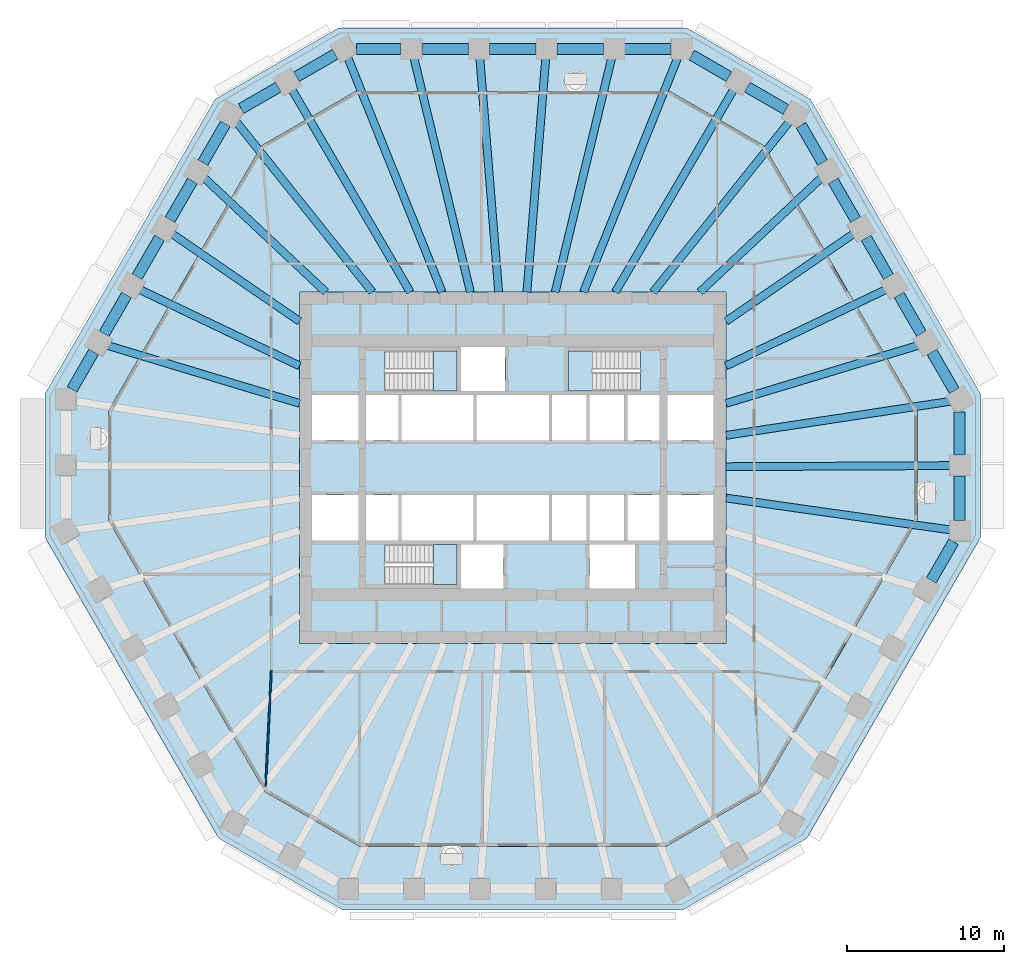
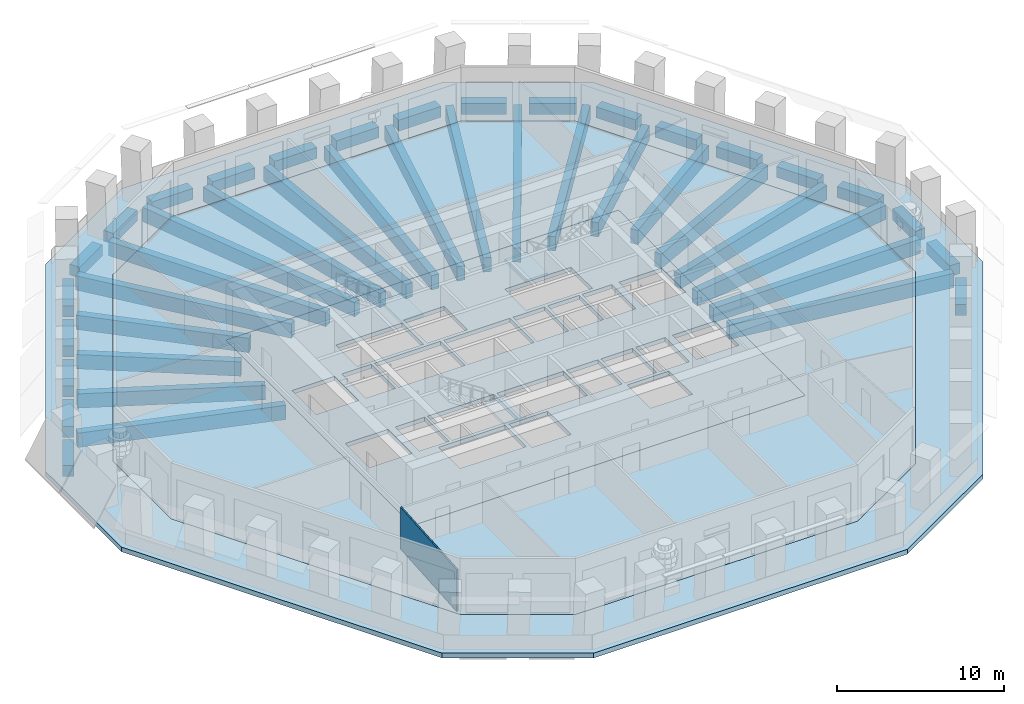
# One storey, part 2 of 12: 43 beams, 6 slabs, 1 wall, 3 elements without a shape of their own.
"""IFC4 building model written with IfcOpenShell, lengths in metres."""

from ifc_helpers import new_model, si_unit, direction, frame, frame_2d, origin, origin_2d, place, context, subcontext, project, spatial, polyline, rectangle, outline, extrude, material, layer, layer_set, material_profile, profile_set, type_object, element, aggregate, save


model = new_model("IFC4")

# Units and contexts
model_context = context("Model", 3, precision=1e-05, world=origin(), true_north=direction((0.0, 1.0)))
body_context = subcontext(model_context, "Body", "Model", "MODEL_VIEW")
ifc_project = project(units=[si_unit("LENGTHUNIT", "METRE"), si_unit("AREAUNIT", "SQUARE_METRE"), si_unit("VOLUMEUNIT", "CUBIC_METRE"), si_unit("PLANEANGLEUNIT", "RADIAN"), si_unit("MASSUNIT", "GRAM", prefix="KILO")], contexts=[model_context])

# Site, building, storey
site_placement = place(None, origin())
site = spatial("IfcSite", under=ifc_project, at=site_placement, CompositionType="ELEMENT")
building_placement = place(site_placement, origin())
building = spatial("IfcBuilding", under=site, at=building_placement, Name="Frailejon Research Tower", CompositionType="ELEMENT")
storey_placement = place(building_placement, frame((0.0, 0.0, 85.199951171875)))
storey = spatial("IfcBuildingStorey", under=building, at=storey_placement, Name="L18", CompositionType="ELEMENT", Elevation=85.199951171875)

# Beams
ifc_material_1 = material(Name="Concrete C60/75", Category="concrete")
ifc_material_profile_1 = material_profile(ifc_material_1, rectangle(XDim=0.5, YDim=1.050048828125, at=origin_2d()), Name="Girder 500x1050")
ifc_profile_set_1 = profile_set([ifc_material_profile_1], Name="Concrete C60/75")
beam_type_1 = type_object("IfcBeamType", Name="Girder 500x1050", PredefinedType="BEAM", material=ifc_profile_set_1)
beam_1_placement = place(storey_placement, frame((27.966064453125, -3.974609375, -0.824951171875), z_axis=(-0.990050862851, 0.14070994623, 0.0), x_axis=(-0.14070994623, -0.990050862851, 0.0)))
element("IfcBeam", 1, at=beam_1_placement, inside=storey, type_object=beam_type_1, Name="Girder 500x1050", PredefinedType="BEAM", context=body_context, shape_type="SweptSolid", body=[
    extrude(rectangle(XDim=0.5, YDim=1.050048828125, at=origin_2d()), origin(), (0.0, 0.0, 1.0), 14.51025390625),
])
beam_2_placement = place(storey_placement, frame((27.967529296875, 0.1357421875, -0.824951171875), z_axis=(-0.999988190916, -0.004859838274, 0.0), x_axis=(0.004859838274, -0.999988190916, 0.0)))
element("IfcBeam", 2, at=beam_2_placement, inside=storey, type_object=beam_type_1, Name="Girder 500x1050", PredefinedType="BEAM", context=body_context, shape_type="SweptSolid", body=[
    extrude(rectangle(XDim=0.5, YDim=1.050048828125, at=origin_2d()), origin(), (0.0, 0.0, 1.0), 14.36767578125),
])
beam_3_placement = place(storey_placement, frame((27.92431640625, 4.239501953125, -0.824951171875), z_axis=(-0.98866977657, -0.150106871586, 0.0), x_axis=(0.150106871586, -0.98866977657, 0.0)))
element("IfcBeam", 3, at=beam_3_placement, inside=storey, type_object=beam_type_1, Name="Girder 500x1050", PredefinedType="BEAM", context=body_context, shape_type="SweptSolid", body=[
    extrude(rectangle(XDim=0.5, YDim=1.050048828125, at=origin_2d()), origin(), (0.0, 0.0, 1.0), 14.48828125),
])
beam_4_placement = place(storey_placement, frame((25.872314453125, 7.80615234375, -0.824951171875), z_axis=(-0.957374824743, -0.288848480953, 0.0), x_axis=(0.288848480953, -0.957374824743, 0.0)))
element("IfcBeam", 4, at=beam_4_placement, inside=storey, type_object=beam_type_1, Name="Girder 500x1050", PredefinedType="BEAM", context=body_context, shape_type="SweptSolid", body=[
    extrude(rectangle(XDim=0.5, YDim=1.050048828125, at=origin_2d()), origin(), (0.0, 0.0, 1.0), 12.818603515625),
])
beam_5_placement = place(storey_placement, frame((23.81689453125, 11.373291015625, -0.824951171875), z_axis=(-0.902388049817, -0.430924364069, 0.0), x_axis=(0.430924364069, -0.902388049817, 0.0)))
element("IfcBeam", 5, at=beam_5_placement, inside=storey, type_object=beam_type_1, Name="Girder 500x1050", PredefinedType="BEAM", context=body_context, shape_type="SweptSolid", body=[
    extrude(rectangle(XDim=0.5, YDim=1.050048828125, at=origin_2d()), origin(), (0.0, 0.0, 1.0), 11.322021484375),
])
beam_6_placement = place(storey_placement, frame((21.758056640625, 14.939453125, -0.824951171875), z_axis=(-0.824373627533, -0.566046042499, 0.0), x_axis=(0.566046042499, -0.824373627533, 0.0)))
element("IfcBeam", 6, at=beam_6_placement, inside=storey, type_object=beam_type_1, Name="Girder 500x1050", PredefinedType="BEAM", context=body_context, shape_type="SweptSolid", body=[
    extrude(rectangle(XDim=0.5, YDim=1.050048828125, at=origin_2d()), origin(), (0.0, 0.0, 1.0), 9.89599609375),
])
beam_7_placement = place(storey_placement, frame((19.696533203125, 18.503173828125, -0.824951171875), z_axis=(-0.728838034578, -0.684686146605, 0.0), x_axis=(0.684686146605, -0.728838034578, 0.0)))
element("IfcBeam", 7, at=beam_7_placement, inside=storey, type_object=beam_type_1, Name="Girder 500x1050", PredefinedType="BEAM", context=body_context, shape_type="SweptSolid", body=[
    extrude(rectangle(XDim=0.5, YDim=1.050048828125, at=origin_2d()), origin(), (0.0, 0.0, 1.0), 10.66650390625),
])
beam_8_placement = place(storey_placement, frame((17.659912109375, 22.09619140625, -0.824951171875), z_axis=(-0.62432357679, -0.781165841204, 0.0), x_axis=(0.781165841204, -0.62432357679, 0.0)))
element("IfcBeam", 8, at=beam_8_placement, inside=storey, type_object=beam_type_1, Name="Girder 500x1050", PredefinedType="BEAM", context=body_context, shape_type="SweptSolid", body=[
    extrude(rectangle(XDim=0.5, YDim=1.050048828125, at=origin_2d()), origin(), (0.0, 0.0, 1.0), 13.94873046875),
])
beam_9_placement = place(storey_placement, frame((14.101318359375, 24.15283203125, -0.824951171875), z_axis=(-0.504189790406, -0.863592875868, 0.0), x_axis=(0.863592875868, -0.504189790406, 0.0)))
element("IfcBeam", 9, at=beam_9_placement, inside=storey, type_object=beam_type_1, Name="Girder 500x1050", PredefinedType="BEAM", context=body_context, shape_type="SweptSolid", body=[
    extrude(rectangle(XDim=0.5, YDim=1.050048828125, at=origin_2d()), origin(), (0.0, 0.0, 1.0), 14.998779296875),
])
beam_10_placement = place(storey_placement, frame((10.52392578125, 26.164306640625, -0.824951171875), z_axis=(-0.373169811581, -0.927763057965, 0.0), x_axis=(0.927763057965, -0.373169811581, 0.0)))
element("IfcBeam", 10, at=beam_10_placement, inside=storey, type_object=beam_type_1, Name="Girder 500x1050", PredefinedType="BEAM", context=body_context, shape_type="SweptSolid", body=[
    extrude(rectangle(XDim=0.5, YDim=1.050048828125, at=origin_2d()), origin(), (0.0, 0.0, 1.0), 16.12939453125),
])
beam_11_placement = place(storey_placement, frame((6.31591796875, 26.1708984375, -0.824951171875), z_axis=(-0.234601275689, -0.972091683662, 0.0), x_axis=(0.972091683662, -0.234601275689, 0.0)))
element("IfcBeam", 11, at=beam_11_placement, inside=storey, type_object=beam_type_1, Name="Girder 500x1050", PredefinedType="BEAM", context=body_context, shape_type="SweptSolid", body=[
    extrude(rectangle(XDim=0.5, YDim=1.050048828125, at=origin_2d()), origin(), (0.0, 0.0, 1.0), 15.400634765625),
])
for number, where, z_axis, x_axis, name in (
    (12, (2.105712890625, 26.174560546875, -0.824951171875), (-0.080199289491, -0.996778849076, 0.0), (0.996778849076, -0.080199289491, 0.0), "Girder 500x1050"),
    (13, (-2.105712890625, 26.174560546875, -0.824951171875), (0.080199289491, -0.996778849076, 0.0), (0.996778849076, 0.080199289491, 0.0), "Girder 500x1050"),
):
    element("IfcBeam", number, at=place(storey_placement, frame(where, z_axis=z_axis, x_axis=x_axis)), inside=storey, type_object=beam_type_1, Name=name, PredefinedType="BEAM", context=body_context, shape_type="SweptSolid", body=[
        extrude(rectangle(XDim=0.5, YDim=1.050048828125, at=origin_2d()), origin(), (0.0, 0.0, 1.0), 15.02294921875),
    ])
beam_12_placement = place(storey_placement, frame((-6.31591796875, 26.1708984375, -0.824951171875), z_axis=(0.234601275689, -0.972091683662, 0.0), x_axis=(0.972091683662, 0.234601275689, 0.0)))
element("IfcBeam", 14, at=beam_12_placement, inside=storey, type_object=beam_type_1, Name="Girder 500x1050", PredefinedType="BEAM", context=body_context, shape_type="SweptSolid", body=[
    extrude(rectangle(XDim=0.5, YDim=1.050048828125, at=origin_2d()), origin(), (0.0, 0.0, 1.0), 15.400634765625),
])
beam_13_placement = place(storey_placement, frame((-10.541015625, 26.20654296875, -0.824951171875), z_axis=(0.373175203368, -0.927760889234, 0.0), x_axis=(0.927760889234, 0.373175203368, 0.0)))
element("IfcBeam", 15, at=beam_13_placement, inside=storey, type_object=beam_type_1, Name="Girder 500x1050", PredefinedType="BEAM", context=body_context, shape_type="SweptSolid", body=[
    extrude(rectangle(XDim=0.5, YDim=1.050048828125, at=origin_2d()), origin(), (0.0, 0.0, 1.0), 16.175048828125),
])
beam_14_placement = place(storey_placement, frame((-14.101318359375, 24.15283203125, -0.824951171875), z_axis=(0.504189790406, -0.863592875868, 0.0), x_axis=(0.863592875868, 0.504189790406, 0.0)))
element("IfcBeam", 16, at=beam_14_placement, inside=storey, type_object=beam_type_1, Name="Girder 500x1050", PredefinedType="BEAM", context=body_context, shape_type="SweptSolid", body=[
    extrude(rectangle(XDim=0.5, YDim=1.050048828125, at=origin_2d()), origin(), (0.0, 0.0, 1.0), 14.998779296875),
])
beam_15_placement = place(storey_placement, frame((-17.6337890625, 22.0634765625, -0.824951171875), z_axis=(0.624324600029, -0.781165023409, 0.0), x_axis=(0.781165023409, 0.624324600029, 0.0)))
element("IfcBeam", 17, at=beam_15_placement, inside=storey, type_object=beam_type_1, Name="Girder 500x1050", PredefinedType="BEAM", context=body_context, shape_type="SweptSolid", body=[
    extrude(rectangle(XDim=0.5, YDim=1.050048828125, at=origin_2d()), origin(), (0.0, 0.0, 1.0), 13.90673828125),
])
beam_16_placement = place(storey_placement, frame((-19.696533203125, 18.503173828125, -0.824951171875), z_axis=(0.728838034578, -0.684686146605, 0.0), x_axis=(0.684686146605, 0.728838034578, 0.0)))
element("IfcBeam", 18, at=beam_16_placement, inside=storey, type_object=beam_type_1, Name="Girder 500x1050", PredefinedType="BEAM", context=body_context, shape_type="SweptSolid", body=[
    extrude(rectangle(XDim=0.5, YDim=1.050048828125, at=origin_2d()), origin(), (0.0, 0.0, 1.0), 10.66650390625),
])
beam_17_placement = place(storey_placement, frame((-21.758056640625, 14.939453125, -0.824951171875), z_axis=(0.824373627533, -0.566046042499, 0.0), x_axis=(0.566046042499, 0.824373627533, 0.0)))
element("IfcBeam", 19, at=beam_17_placement, inside=storey, type_object=beam_type_1, Name="Girder 500x1050", PredefinedType="BEAM", context=body_context, shape_type="SweptSolid", body=[
    extrude(rectangle(XDim=0.5, YDim=1.050048828125, at=origin_2d()), origin(), (0.0, 0.0, 1.0), 9.89599609375),
])
beam_18_placement = place(storey_placement, frame((-23.81689453125, 11.373291015625, -0.824951171875), z_axis=(0.902388049817, -0.430924364069, 0.0), x_axis=(0.430924364069, 0.902388049817, 0.0)))
element("IfcBeam", 20, at=beam_18_placement, inside=storey, type_object=beam_type_1, Name="Girder 500x1050", PredefinedType="BEAM", context=body_context, shape_type="SweptSolid", body=[
    extrude(rectangle(XDim=0.5, YDim=1.050048828125, at=origin_2d()), origin(), (0.0, 0.0, 1.0), 11.322021484375),
])
beam_19_placement = place(storey_placement, frame((-25.872314453125, 7.80615234375, -0.824951171875), z_axis=(0.957374824743, -0.288848480953, 0.0), x_axis=(0.288848480953, 0.957374824743, 0.0)))
element("IfcBeam", 21, at=beam_19_placement, inside=storey, type_object=beam_type_1, Name="Girder 500x1050", PredefinedType="BEAM", context=body_context, shape_type="SweptSolid", body=[
    extrude(rectangle(XDim=0.5, YDim=1.050048828125, at=origin_2d()), origin(), (0.0, 0.0, 1.0), 12.818603515625),
])
ifc_material_2 = material(Name="Concrete C60/75", Category="concrete")
ifc_material_profile_2 = material_profile(ifc_material_2, rectangle(XDim=0.699951171875, YDim=0.800048828125, at=origin_2d()), Name="Spandrel 700x800")
ifc_profile_set_2 = profile_set([ifc_material_profile_2], Name="Concrete C60/75")
beam_type_2 = type_object("IfcBeamType", Name="Spandrel 700x800", PredefinedType="BEAM", material=ifc_profile_set_2)
beam_20_placement = place(storey_placement, frame((28.49267578125, -3.374267578125, -0.75), z_axis=(0.0, 1.0, 0.0), x_axis=(-1.0, 0.0, 0.0)))
element("IfcBeam", 22, at=beam_20_placement, inside=storey, type_object=beam_type_2, Name="Spandrel 700x800", PredefinedType="BEAM", context=body_context, shape_type="SweptSolid", body=[
    extrude(rectangle(XDim=0.699951171875, YDim=0.800048828125, at=origin_2d()), origin(), (0.0, 0.0, 1.0), 2.837646484375),
])
beam_21_placement = place(storey_placement, frame((28.49267578125, 0.813232421875, -0.75), z_axis=(0.0, 1.0, 0.0), x_axis=(-1.0, 0.0, 0.0)))
element("IfcBeam", 23, at=beam_21_placement, inside=storey, type_object=beam_type_2, Name="Spandrel 700x800", PredefinedType="BEAM", context=body_context, shape_type="SweptSolid", body=[
    extrude(rectangle(XDim=0.699951171875, YDim=0.800048828125, at=origin_2d()), origin(), (0.0, 0.0, 1.0), 2.733154296875),
])
beam_22_placement = place(storey_placement, frame((28.155029296875, 4.910400390625, -0.75), z_axis=(-0.499999279071, 0.866025820012, 0.0), x_axis=(-0.866025820012, -0.499999279071, 0.0)))
element("IfcBeam", 24, at=beam_22_placement, inside=storey, type_object=beam_type_2, Name="Spandrel 700x800", PredefinedType="BEAM", context=body_context, shape_type="SweptSolid", body=[
    extrude(rectangle(XDim=0.699951171875, YDim=0.800048828125, at=origin_2d()), origin(), (0.0, 0.0, 1.0), 2.85009765625),
])
beam_23_placement = place(storey_placement, frame((26.05517578125, 8.5478515625, -0.75), z_axis=(-0.500036373335, 0.866004402611, 0.0), x_axis=(-0.866004402611, -0.500036373335, 0.0)))
element("IfcBeam", 25, at=beam_23_placement, inside=storey, type_object=beam_type_2, Name="Spandrel 700x800", PredefinedType="BEAM", context=body_context, shape_type="SweptSolid", body=[
    extrude(rectangle(XDim=0.699951171875, YDim=0.800048828125, at=origin_2d()), origin(), (0.0, 0.0, 1.0), 2.849853515625),
])
beam_24_placement = place(storey_placement, frame((23.955078125, 12.18505859375, -0.75), z_axis=(-0.499999279071, 0.866025820012, 0.0), x_axis=(-0.866025820012, -0.499999279071, 0.0)))
element("IfcBeam", 26, at=beam_24_placement, inside=storey, type_object=beam_type_2, Name="Spandrel 700x800", PredefinedType="BEAM", context=body_context, shape_type="SweptSolid", body=[
    extrude(rectangle(XDim=0.699951171875, YDim=0.800048828125, at=origin_2d()), origin(), (0.0, 0.0, 1.0), 2.85009765625),
])
beam_25_placement = place(storey_placement, frame((21.85498046875, 15.822509765625, -0.75), z_axis=(-0.499972122318, 0.866041498374, 0.0), x_axis=(-0.866041498374, -0.499972122318, 0.0)))
element("IfcBeam", 27, at=beam_25_placement, inside=storey, type_object=beam_type_2, Name="Spandrel 700x800", PredefinedType="BEAM", context=body_context, shape_type="SweptSolid", body=[
    extrude(rectangle(XDim=0.699951171875, YDim=0.800048828125, at=origin_2d()), origin(), (0.0, 0.0, 1.0), 2.849853515625),
])
beam_26_placement = place(storey_placement, frame((19.755126953125, 19.459716796875, -0.75), z_axis=(-0.500012386551, 0.866018252288, 0.0), x_axis=(-0.866018252288, -0.500012386551, 0.0)))
element("IfcBeam", 28, at=beam_26_placement, inside=storey, type_object=beam_type_2, Name="Spandrel 700x800", PredefinedType="BEAM", context=body_context, shape_type="SweptSolid", body=[
    extrude(rectangle(XDim=0.699951171875, YDim=0.800048828125, at=origin_2d()), origin(), (0.0, 0.0, 1.0), 2.74560546875),
])
beam_27_placement = place(storey_placement, frame((17.407958984375, 22.849853515625, -0.75), z_axis=(-0.865989280058, 0.500062562911, 0.0), x_axis=(-0.500062562911, -0.865989280058, 0.0)))
element("IfcBeam", 29, at=beam_27_placement, inside=storey, type_object=beam_type_2, Name="Spandrel 700x800", PredefinedType="BEAM", context=body_context, shape_type="SweptSolid", body=[
    extrude(rectangle(XDim=0.699951171875, YDim=0.800048828125, at=origin_2d()), origin(), (0.0, 0.0, 1.0), 2.837646484375),
])
beam_28_placement = place(storey_placement, frame((13.781494140625, 24.943603515625, -0.75), z_axis=(-0.866002615699, 0.500039468044, 0.0), x_axis=(-0.500039468044, -0.866002615699, 0.0)))
element("IfcBeam", 30, at=beam_28_placement, inside=storey, type_object=beam_type_2, Name="Spandrel 700x800", PredefinedType="BEAM", context=body_context, shape_type="SweptSolid", body=[
    extrude(rectangle(XDim=0.699951171875, YDim=0.800048828125, at=origin_2d()), origin(), (0.0, 0.0, 1.0), 2.733154296875),
])
for number, where, z_axis, x_axis, name in (
    (31, (10.064453125, 26.699951171875, -0.75), (-1.0, 0.0, 0.0), (0.0, -1.0, 0.0), "Spandrel 700x800"),
    (32, (5.768798828125, 26.699951171875, -0.75), (-1.0, 0.0, 0.0), (0.0, -1.0, 0.0), "Spandrel 700x800"),
    (33, (1.472900390625, 26.699951171875, -0.75), (-1.0, 0.0, 0.0), (0.0, -1.0, 0.0), "Spandrel 700x800"),
    (34, (-2.822998046875, 26.699951171875, -0.75), (-1.0, 0.0, 0.0), (0.0, -1.0, 0.0), "Spandrel 700x800"),
):
    element("IfcBeam", number, at=place(storey_placement, frame(where, z_axis=z_axis, x_axis=x_axis)), inside=storey, type_object=beam_type_2, Name=name, PredefinedType="BEAM", context=body_context, shape_type="SweptSolid", body=[
        extrude(rectangle(XDim=0.699951171875, YDim=0.800048828125, at=origin_2d()), origin(), (0.0, 0.0, 1.0), 2.94580078125),
    ])
beam_29_placement = place(storey_placement, frame((-7.11865234375, 26.699951171875, -0.75), z_axis=(-1.0, 0.0, 0.0), x_axis=(0.0, -1.0, 0.0)))
element("IfcBeam", 35, at=beam_29_placement, inside=storey, type_object=beam_type_2, Name="Spandrel 700x800", PredefinedType="BEAM", context=body_context, shape_type="SweptSolid", body=[
    extrude(rectangle(XDim=0.699951171875, YDim=0.800048828125, at=origin_2d()), origin(), (0.0, 0.0, 1.0), 2.841552734375),
])
beam_30_placement = place(storey_placement, frame((-11.32421875, 26.362548828125, -0.75), z_axis=(-0.865989280058, -0.500062562911, 0.0), x_axis=(0.500062562911, -0.865989280058, 0.0)))
element("IfcBeam", 36, at=beam_30_placement, inside=storey, type_object=beam_type_2, Name="Spandrel 700x800", PredefinedType="BEAM", context=body_context, shape_type="SweptSolid", body=[
    extrude(rectangle(XDim=0.699951171875, YDim=0.800048828125, at=origin_2d()), origin(), (0.0, 0.0, 1.0), 2.837646484375),
])
beam_31_placement = place(storey_placement, frame((-14.95068359375, 24.268798828125, -0.75), z_axis=(-0.866002615699, -0.500039468044, 0.0), x_axis=(0.500039468044, -0.866002615699, 0.0)))
element("IfcBeam", 37, at=beam_31_placement, inside=storey, type_object=beam_type_2, Name="Spandrel 700x800", PredefinedType="BEAM", context=body_context, shape_type="SweptSolid", body=[
    extrude(rectangle(XDim=0.699951171875, YDim=0.800048828125, at=origin_2d()), origin(), (0.0, 0.0, 1.0), 2.733154296875),
])
for number, where, z_axis, x_axis, name in (
    (38, (-18.330078125, 21.927734375, -0.75), (-0.500036373335, -0.866004402611, 0.0), (0.866004402611, -0.500036373335, 0.0), "Spandrel 700x800"),
    (39, (-20.43017578125, 18.29052734375, -0.75), (-0.499972122318, -0.866041498374, 0.0), (0.866041498374, -0.499972122318, 0.0), "Spandrel 700x800"),
):
    element("IfcBeam", number, at=place(storey_placement, frame(where, z_axis=z_axis, x_axis=x_axis)), inside=storey, type_object=beam_type_2, Name=name, PredefinedType="BEAM", context=body_context, shape_type="SweptSolid", body=[
        extrude(rectangle(XDim=0.699951171875, YDim=0.800048828125, at=origin_2d()), origin(), (0.0, 0.0, 1.0), 2.849853515625),
    ])
beam_32_placement = place(storey_placement, frame((-22.530029296875, 14.6533203125, -0.75), z_axis=(-0.499999279071, -0.866025820012, 0.0), x_axis=(0.866025820012, -0.499999279071, 0.0)))
element("IfcBeam", 40, at=beam_32_placement, inside=storey, type_object=beam_type_2, Name="Spandrel 700x800", PredefinedType="BEAM", context=body_context, shape_type="SweptSolid", body=[
    extrude(rectangle(XDim=0.699951171875, YDim=0.800048828125, at=origin_2d()), origin(), (0.0, 0.0, 1.0), 2.85009765625),
])
beam_33_placement = place(storey_placement, frame((-24.630126953125, 11.015869140625, -0.75), z_axis=(-0.500036373335, -0.866004402611, 0.0), x_axis=(0.866004402611, -0.500036373335, 0.0)))
element("IfcBeam", 41, at=beam_33_placement, inside=storey, type_object=beam_type_2, Name="Spandrel 700x800", PredefinedType="BEAM", context=body_context, shape_type="SweptSolid", body=[
    extrude(rectangle(XDim=0.699951171875, YDim=0.800048828125, at=origin_2d()), origin(), (0.0, 0.0, 1.0), 2.849853515625),
])
beam_34_placement = place(storey_placement, frame((-26.72998046875, 7.378662109375, -0.75), z_axis=(-0.499973883724, -0.866040481499, 0.0), x_axis=(0.866040481499, -0.499973883724, 0.0)))
element("IfcBeam", 42, at=beam_34_placement, inside=storey, type_object=beam_type_2, Name="Spandrel 700x800", PredefinedType="BEAM", context=body_context, shape_type="SweptSolid", body=[
    extrude(rectangle(XDim=0.699951171875, YDim=0.800048828125, at=origin_2d()), origin(), (0.0, 0.0, 1.0), 2.745849609375),
])
beam_35_placement = place(storey_placement, frame((26.68212890625, -7.18505859375, -0.75), z_axis=(0.499992694506, 0.866029621572, 0.0), x_axis=(-0.866029621572, 0.499992694506, 0.0)))
element("IfcBeam", 43, at=beam_35_placement, inside=storey, type_object=beam_type_2, Name="Spandrel 700x800", PredefinedType="BEAM", context=body_context, shape_type="SweptSolid", body=[
    extrude(rectangle(XDim=0.699951171875, YDim=0.800048828125, at=origin_2d()), origin(), (0.0, 0.0, 1.0), 2.84130859375),
])

# Slabs
ifc_material_3 = material(Name="Concrete C70/85", Category="concrete")
ifc_layer_1 = layer(ifc_material_3, 0.300048828125)
ifc_layer_set_1 = layer_set([ifc_layer_1], Name="Core floor slab 300 C70/85")
slab_type_1 = type_object("IfcSlabType", Name="Core floor slab 300 C70/85", PredefinedType="FLOOR", material=ifc_layer_set_1)
slab_1_placement = place(storey_placement, frame((0.0, 0.0, -0.300048828125)))
element("IfcSlab", 44, at=slab_1_placement, inside=storey, type_object=slab_type_1, Name="Core floor slab", PredefinedType="FLOOR", context=body_context, shape_type="SweptSolid", body=[
    extrude(outline(polyline([(13.60009765625, -11.199951171875), (13.60009765625, 11.199951171875), (-13.60009765625, 11.199951171875), (-13.60009765625, -11.199951171875), (13.60009765625, -11.199951171875)]), holes=[polyline([(-9.85009765625, 1.75), (-9.85009765625, 4.64990234375), (-12.800048828125, 4.64990234375), (-12.800048828125, 1.75), (-9.85009765625, 1.75)]), polyline([(-7.300048828125, 1.75), (-7.300048828125, 4.64990234375), (-9.35009765625, 4.64990234375), (-9.35009765625, 1.75), (-7.300048828125, 1.75)]), polyline([(-2.5, 1.75), (-2.5, 4.64990234375), (-7.10009765625, 4.64990234375), (-7.10009765625, 1.75), (-2.5, 1.75)]), polyline([(2.300048828125, 1.75), (2.300048828125, 4.64990234375), (-2.300048828125, 4.64990234375), (-2.300048828125, 1.75), (2.300048828125, 1.75)]), polyline([(4.699951171875, 1.75), (4.699951171875, 4.64990234375), (2.5, 4.64990234375), (2.5, 1.75), (4.699951171875, 1.75)]), polyline([(7.10009765625, 1.75), (7.10009765625, 4.64990234375), (4.89990234375, 4.64990234375), (4.89990234375, 1.75), (7.10009765625, 1.75)]), polyline([(9.35009765625, 1.75), (9.35009765625, 4.64990234375), (7.300048828125, 4.64990234375), (7.300048828125, 1.75), (9.35009765625, 1.75)]), polyline([(12.800048828125, 1.75), (12.800048828125, 4.64990234375), (9.85009765625, 4.64990234375), (9.85009765625, 1.75), (12.800048828125, 1.75)]), polyline([(-9.85009765625, -4.64990234375), (-9.85009765625, -1.75), (-12.800048828125, -1.75), (-12.800048828125, -4.64990234375), (-9.85009765625, -4.64990234375)]), polyline([(-7.300048828125, -4.64990234375), (-7.300048828125, -1.75), (-9.35009765625, -1.75), (-9.35009765625, -4.64990234375), (-7.300048828125, -4.64990234375)]), polyline([(-2.5, -4.64990234375), (-2.5, -1.75), (-7.10009765625, -1.75), (-7.10009765625, -4.64990234375), (-2.5, -4.64990234375)]), polyline([(2.300048828125, -4.64990234375), (2.300048828125, -1.75), (-2.300048828125, -1.75), (-2.300048828125, -4.64990234375), (2.300048828125, -4.64990234375)]), polyline([(4.699951171875, -4.64990234375), (4.699951171875, -1.75), (2.5, -1.75), (2.5, -4.64990234375), (4.699951171875, -4.64990234375)]), polyline([(7.10009765625, -4.64990234375), (7.10009765625, -1.75), (4.89990234375, -1.75), (4.89990234375, -4.64990234375), (7.10009765625, -4.64990234375)]), polyline([(9.35009765625, -4.64990234375), (9.35009765625, -1.75), (7.300048828125, -1.75), (7.300048828125, -4.64990234375), (9.35009765625, -4.64990234375)]), polyline([(12.800048828125, -4.64990234375), (12.800048828125, -1.75), (9.85009765625, -1.75), (9.85009765625, -4.64990234375), (12.800048828125, -4.64990234375)]), polyline([(-8.14697265625, 4.89990234375), (-3.550048828125, 4.89990234375), (-3.550048828125, 7.449951171875), (-8.14697265625, 7.449951171875), (-8.14697265625, 4.89990234375)]), polyline([(-8.14697265625, -7.449951171875), (-3.550048828125, -7.449951171875), (-3.550048828125, -4.89990234375), (-8.14697265625, -4.89990234375), (-8.14697265625, -7.449951171875)]), polyline([(8.14697265625, 7.449951171875), (3.550048828125, 7.449951171875), (3.550048828125, 4.89990234375), (8.14697265625, 4.89990234375), (8.14697265625, 7.449951171875)]), polyline([(-0.60009765625, -7.699951171875), (-0.60009765625, -4.89990234375), (-3.300048828125, -4.89990234375), (-3.300048828125, -7.699951171875), (-0.60009765625, -7.699951171875)]), polyline([(7.800048828125, -7.699951171875), (7.800048828125, -4.89990234375), (4.89990234375, -4.89990234375), (4.89990234375, -7.699951171875), (7.800048828125, -7.699951171875)]), polyline([(-0.5, 4.89990234375), (-0.5, 7.699951171875), (-3.300048828125, 7.699951171875), (-3.300048828125, 4.89990234375), (-0.5, 4.89990234375)])]), origin(), (0.0, 0.0, 1.0), 0.300048828125),
])
ifc_material_4 = material(Name="Concrete C40/50", Category="concrete")
ifc_layer_2 = layer(ifc_material_4, 0.35009765625)
ifc_layer_set_2 = layer_set([ifc_layer_2], Name="Loggia slab 350")
slab_type_2 = type_object("IfcSlabType", Name="Loggia slab 350", PredefinedType="USERDEFINED", material=ifc_layer_set_2)
slab_2_placement = place(storey_placement, frame((0.0, 0.0, -0.349853515625)))
element("IfcSlab", 45, at=slab_2_placement, inside=storey, type_object=slab_type_2, Name="Loggia slab L18", ObjectType="LOGGIA", PredefinedType="USERDEFINED", context=body_context, shape_type="SweptSolid", body=[
    extrude(outline(polyline([(18.741455078125, -23.638916015625), (10.86181640625, -28.188232421875), (-10.86181640625, -28.188232421875), (-18.741455078125, -23.638916015625), (-29.842529296875, -4.410888671875), (-29.842529296875, 4.6875), (-18.98095703125, 23.500732421875), (-11.101318359375, 28.050048828125), (11.101318359375, 28.050048828125), (18.98095703125, 23.500732421875), (29.842529296875, 4.6875), (29.842529296875, -4.410888671875), (18.741455078125, -23.638916015625)]), holes=[polyline([(25.79248046875, 3.602294921875), (16.01611328125, 20.535888671875), (10.01611328125, 24.0), (-10.01611328125, 24.0), (-16.01611328125, 20.535888671875), (-25.79248046875, 3.602294921875), (-25.79248046875, -3.32568359375), (-15.776611328125, -20.67431640625), (-9.776611328125, -24.13818359375), (9.776611328125, -24.13818359375), (15.776611328125, -20.67431640625), (25.79248046875, -3.32568359375), (25.79248046875, 3.602294921875)])]), origin(), (0.0, 0.0, 1.0), 0.349853515625),
])
ifc_material_5 = material(Name="Concrete C40/50", Category="concrete")
ifc_layer_3 = layer(ifc_material_5, 0.300048828125)
ifc_layer_set_3 = layer_set([ifc_layer_3], Name="Slab typical 300")
slab_type_3 = type_object("IfcSlabType", Name="Slab typical 300", PredefinedType="FLOOR", material=ifc_layer_set_3)
slab_3_placement = place(storey_placement, frame((0.0, 0.0, -0.300048828125)))
element("IfcSlab", 46, at=slab_3_placement, inside=storey, type_object=slab_type_3, Name="Floor slab L18", PredefinedType="FLOOR", context=body_context, shape_type="SweptSolid", body=[
    extrude(outline(polyline([(25.79248046875, -3.32568359375), (25.79248046875, 3.602294921875), (16.01611328125, 20.535888671875), (10.01611328125, 24.0), (-10.01611328125, 24.0), (-16.01611328125, 20.535888671875), (-25.79248046875, 3.602294921875), (-25.79248046875, -3.32568359375), (-15.776611328125, -20.67431640625), (-9.776611328125, -24.13818359375), (9.776611328125, -24.13818359375), (15.776611328125, -20.67431640625), (25.79248046875, -3.32568359375)]), holes=[polyline([(13.60009765625, -11.199951171875), (-13.60009765625, -11.199951171875), (-13.60009765625, 11.199951171875), (13.60009765625, 11.199951171875), (13.60009765625, -11.199951171875)])]), origin(), (0.0, 0.0, 1.0), 0.300048828125),
])

# Stair, slab
ifc_material_6 = material(Name="Concrete C50/60", Category="concrete")
stair_type = type_object("IfcStairType", Name="Exit stair 24 risers", PredefinedType="HALF_TURN_STAIR", material=ifc_material_6)
stair_1_placement = place(storey_placement, origin())
stair_1 = element("IfcStair", 47, at=stair_1_placement, inside=storey, type_object=stair_type, Name="L18 Exit stair ST1", PredefinedType="HALF_TURN_STAIR")
ifc_material_7 = material(Name="Concrete C50/60", Category="concrete")
ifc_layer_4 = layer(ifc_material_7, 0.199951171875)
ifc_layer_set_4 = layer_set([ifc_layer_4], Name="Stair landing slab 200")
slab_type_4 = type_object("IfcSlabType", Name="Stair landing slab 200", PredefinedType="LANDING", material=ifc_layer_set_4)
slab_4_placement = place(storey_placement, frame((0.0, 0.0, 2.0)))
slab_4 = element("IfcSlab", 48, at=slab_4_placement, type_object=slab_type_4, Name="ST1 landing 1", PredefinedType="LANDING", context=body_context, shape_type="SweptSolid", body=[
    extrude(outline(polyline([(-5.070068359375, 4.89990234375), (-3.550048828125, 4.89990234375), (-3.550048828125, 7.449951171875), (-5.070068359375, 7.449951171875), (-5.070068359375, 4.89990234375)])), origin(), (0.0, 0.0, 1.0), 0.199951171875),
])
aggregate(stair_1, [slab_4])

stair_2_placement = place(storey_placement, origin())
stair_2 = element("IfcStair", 49, at=stair_2_placement, inside=storey, type_object=stair_type, Name="L18 Exit stair ST2", PredefinedType="HALF_TURN_STAIR")
slab_5_placement = place(storey_placement, frame((0.0, 0.0, 2.0)))
slab_5 = element("IfcSlab", 50, at=slab_5_placement, type_object=slab_type_4, Name="ST2 landing 1", PredefinedType="LANDING", context=body_context, shape_type="SweptSolid", body=[
    extrude(outline(polyline([(-5.070068359375, -7.449951171875), (-3.550048828125, -7.449951171875), (-3.550048828125, -4.89990234375), (-5.070068359375, -4.89990234375), (-5.070068359375, -7.449951171875)])), origin(), (0.0, 0.0, 1.0), 0.199951171875),
])
aggregate(stair_2, [slab_5])

stair_3_placement = place(storey_placement, origin())
stair_3 = element("IfcStair", 51, at=stair_3_placement, inside=storey, type_object=stair_type, Name="L18 Exit stair ST3", PredefinedType="HALF_TURN_STAIR")
slab_6_placement = place(storey_placement, frame((0.0, 0.0, 2.0)))
slab_6 = element("IfcSlab", 52, at=slab_6_placement, type_object=slab_type_4, Name="ST3 landing 1", PredefinedType="LANDING", context=body_context, shape_type="SweptSolid", body=[
    extrude(outline(polyline([(5.070068359375, 7.449951171875), (3.550048828125, 7.449951171875), (3.550048828125, 4.89990234375), (5.070068359375, 4.89990234375), (5.070068359375, 7.449951171875)])), origin(), (0.0, 0.0, 1.0), 0.199951171875),
])
aggregate(stair_3, [slab_6])

# Wall
ifc_material_8 = material(Name="Gypsum board and masonry partition", Category="masonry")
ifc_layer_5 = layer(ifc_material_8, 0.10009765625)
ifc_layer_set_5 = layer_set([ifc_layer_5], Name="Partition, gypsum on steel studs 100")
wall_type = type_object("IfcWallType", Name="Partition, gypsum on steel studs 100", PredefinedType="PARTITIONING", material=ifc_layer_set_5)
wall_placement = place(storey_placement, frame((-15.758544921875, -20.305419921875, 0.0), z_axis=(0.0, 0.0, 1.0), x_axis=(0.049031263992, 0.998797244265, 0.0)))
element("IfcWall", 53, at=wall_placement, inside=storey, type_object=wall_type, Name="T:IW:L18:016", PredefinedType="PARTITIONING", context=body_context, shape_type="SweptSolid", body=[
    extrude(rectangle(XDim=7.38916015625, YDim=0.10009765625, at=frame_2d((3.694580078125, 0.0))), origin(), (0.0, 0.0, 1.0), 3.050048828125),
])

save(model, "model.ifc")
